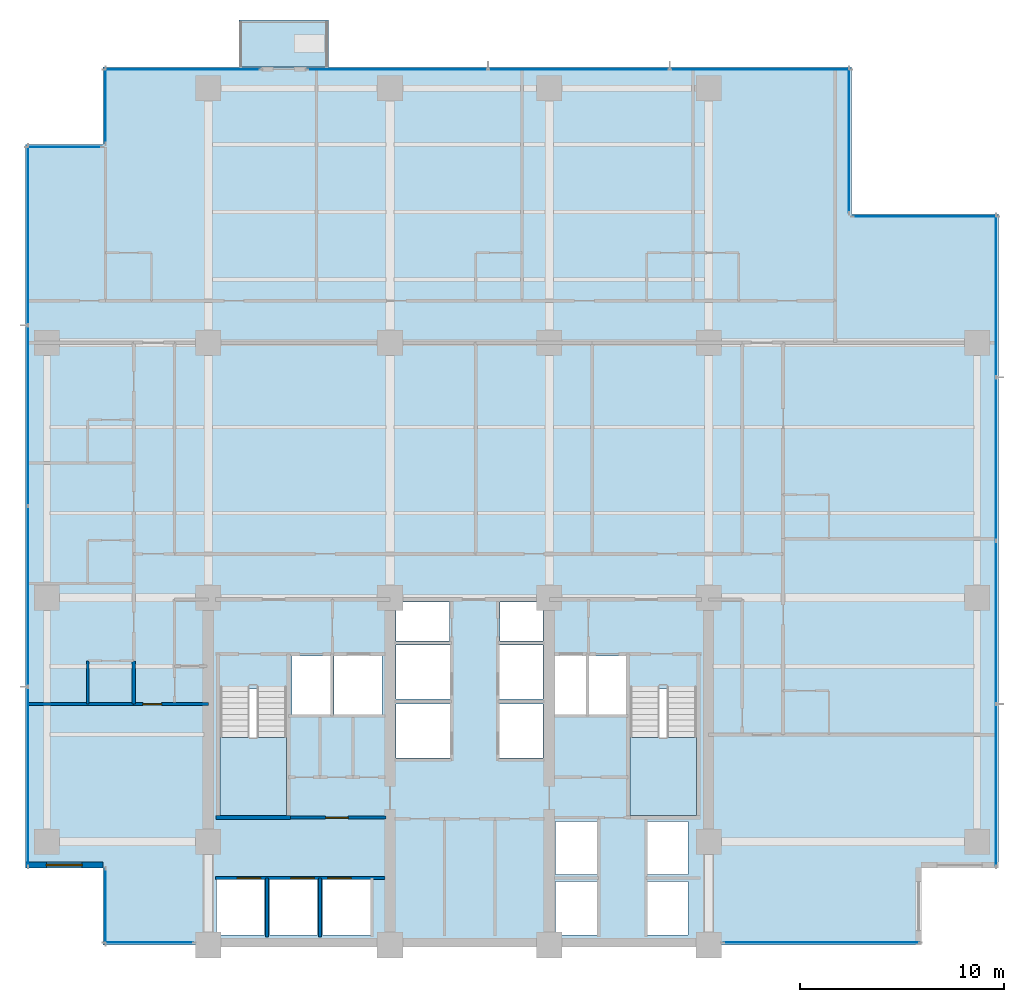
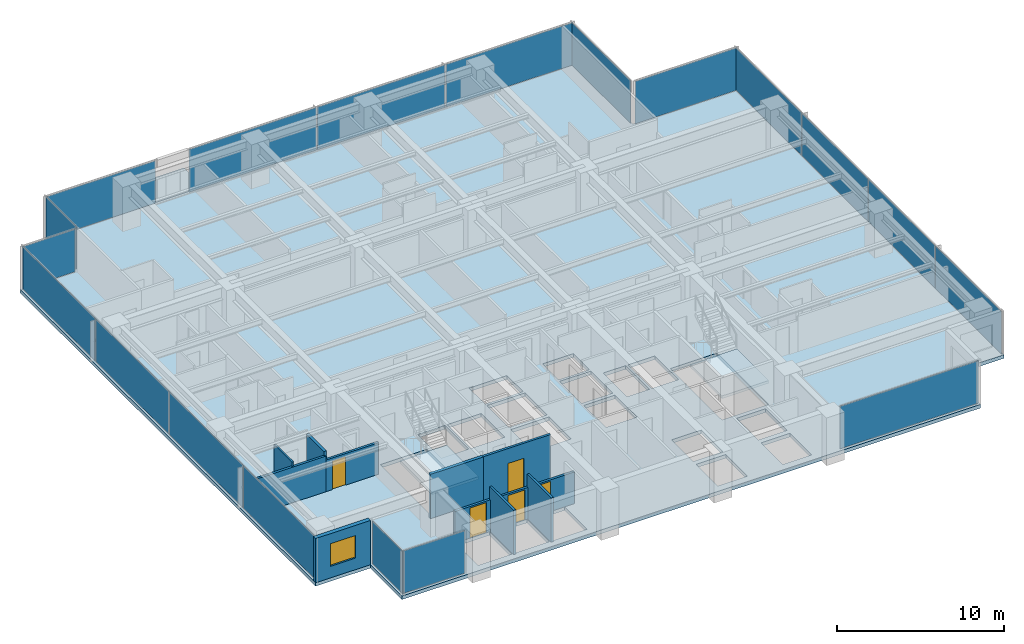
# One storey, part 7 of 18: 19 plates, 10 walls, 5 doors, 4 slabs, 1 window, 6 openings, 13 elements without a shape of their own.
"""IFC4 building model written with IfcOpenShell, lengths in metres."""

from ifc_helpers import new_model, si_unit, direction, frame, frame_2d, origin, origin_2d, place, context, subcontext, project, spatial, polyline, rectangle, outline, extrude, material, layer, layer_set, type_object, element, fill, aggregate, save


model = new_model("IFC4")

# Units and contexts
model_context = context("Model", 3, precision=1e-05, world=origin(), true_north=direction((0.0, 1.0)))
body_context = subcontext(model_context, "Body", "Model", "MODEL_VIEW")
ifc_project = project(units=[si_unit("LENGTHUNIT", "METRE"), si_unit("AREAUNIT", "SQUARE_METRE"), si_unit("VOLUMEUNIT", "CUBIC_METRE"), si_unit("PLANEANGLEUNIT", "RADIAN"), si_unit("MASSUNIT", "GRAM", prefix="KILO")], contexts=[model_context])

# Site, building, storey
site_placement = place(None, origin())
site = spatial("IfcSite", under=ifc_project, at=site_placement, CompositionType="ELEMENT")
building_placement = place(site_placement, origin())
building = spatial("IfcBuilding", under=site, at=building_placement, Name="Qalmaran Belvedere Hotel", CompositionType="ELEMENT")
storey_placement = place(building_placement, frame((0.0, 0.0, 95.199951171875)))
storey = spatial("IfcBuildingStorey", under=building, at=storey_placement, Name="L23", CompositionType="ELEMENT", Elevation=95.199951171875)

# Curtain wall, plate
ifc_material_1 = material(Name="Anodised Bronze Aluminium", Category="aluminium")
ifc_layer_1 = layer(ifc_material_1, 0.199951171875, Name="Anodised Bronze Aluminium")
ifc_layer_set_1 = layer_set([ifc_layer_1], Name="Anodised Bronze Aluminium")
curtain_wall_type = type_object("IfcCurtainWallType", Name="CW3-TOWER-LOWMID", PredefinedType="NOTDEFINED", material=ifc_layer_set_1)
curtain_wall_1_placement = place(storey_placement, origin())
curtain_wall_1 = element("IfcCurtainWall", 1, at=curtain_wall_1_placement, inside=storey, type_object=curtain_wall_type, Name="L23 Curtain Wall CW3", PredefinedType="NOTDEFINED")
ifc_material_2 = material(Name="Solar-Control Double Glazing", Category="glass")
ifc_layer_2 = layer(ifc_material_2, 0.028076171875, Name="Solar-Control Double Glazing")
ifc_layer_set_2 = layer_set([ifc_layer_2], Name="Solar-Control Double Glazing")
plate_type = type_object("IfcPlateType", Name="CWP-VISION-28", PredefinedType="CURTAIN_PANEL", material=ifc_layer_set_2)
plate_1_placement = place(storey_placement, frame((17.392578125, 3.6201171875, 0.06494140625), z_axis=(0.0, 0.0, 1.0), x_axis=(1.0, 0.0, 0.0)))
plate_1 = element("IfcPlate", 2, at=plate_1_placement, type_object=plate_type, Name="CW3 panel 1.1", PredefinedType="CURTAIN_PANEL", context=body_context, shape_type="SweptSolid", body=[
    extrude(rectangle(XDim=4.344970703125, YDim=0.028076171875, at=origin_2d()), origin(), (0.0, 0.0, 1.0), 3.110107421875),
])
aggregate(curtain_wall_1, [plate_1])

curtain_wall_2_placement = place(storey_placement, origin())
curtain_wall_2 = element("IfcCurtainWall", 3, at=curtain_wall_2_placement, inside=storey, type_object=curtain_wall_type, Name="L23 Curtain Wall CW3", PredefinedType="NOTDEFINED")
plate_2_placement = place(storey_placement, frame((50.33251953125, 3.6201171875, 0.06494140625), z_axis=(0.0, 0.0, 1.0), x_axis=(1.0, 0.0, 0.0)))
plate_2 = element("IfcPlate", 4, at=plate_2_placement, type_object=plate_type, Name="CW3 panel 1.1", PredefinedType="CURTAIN_PANEL", context=body_context, shape_type="SweptSolid", body=[
    extrude(rectangle(XDim=9.594970703125, YDim=0.028076171875, at=origin_2d()), origin(), (0.0, 0.0, 1.0), 3.110107421875),
])
aggregate(curtain_wall_2, [plate_2])

# Curtain wall, plates
curtain_wall_3_placement = place(storey_placement, origin())
curtain_wall_3 = element("IfcCurtainWall", 5, at=curtain_wall_3_placement, inside=storey, type_object=curtain_wall_type, Name="L23 Curtain Wall CW3", PredefinedType="NOTDEFINED")
plate_3_placement = place(storey_placement, frame((58.8798828125, 11.3173828125, 0.06494140625), z_axis=(0.0, 0.0, 1.0), x_axis=(0.0, 1.0, 0.0)))
plate_3 = element("IfcPlate", 6, at=plate_3_placement, type_object=plate_type, Name="CW3 panel 1.1", PredefinedType="CURTAIN_PANEL", context=body_context, shape_type="SweptSolid", body=[
    extrude(rectangle(XDim=7.89501953125, YDim=0.028076171875, at=origin_2d()), origin(), (0.0, 0.0, 1.0), 3.110107421875),
])
plate_4_placement = place(storey_placement, frame((58.8798828125, 19.300048828125, 0.06494140625), z_axis=(0.0, 0.0, 1.0), x_axis=(0.0, 1.0, 0.0)))
plate_4 = element("IfcPlate", 7, at=plate_4_placement, type_object=plate_type, Name="CW3 panel 2.1", PredefinedType="CURTAIN_PANEL", context=body_context, shape_type="SweptSolid", body=[
    extrude(rectangle(XDim=7.929931640625, YDim=0.028076171875, at=origin_2d()), origin(), (0.0, 0.0, 1.0), 3.110107421875),
])
plate_5_placement = place(storey_placement, frame((58.8798828125, 27.300048828125, 0.06494140625), z_axis=(0.0, 0.0, 1.0), x_axis=(0.0, 1.0, 0.0)))
plate_5 = element("IfcPlate", 8, at=plate_5_placement, type_object=plate_type, Name="CW3 panel 3.1", PredefinedType="CURTAIN_PANEL", context=body_context, shape_type="SweptSolid", body=[
    extrude(rectangle(XDim=7.929931640625, YDim=0.028076171875, at=origin_2d()), origin(), (0.0, 0.0, 1.0), 3.110107421875),
])
plate_6_placement = place(storey_placement, frame((58.8798828125, 35.282470703125, 0.06494140625), z_axis=(0.0, 0.0, 1.0), x_axis=(0.0, 1.0, 0.0)))
plate_6 = element("IfcPlate", 9, at=plate_6_placement, type_object=plate_type, Name="CW3 panel 4.1", PredefinedType="CURTAIN_PANEL", context=body_context, shape_type="SweptSolid", body=[
    extrude(rectangle(XDim=7.89501953125, YDim=0.028076171875, at=origin_2d()), origin(), (0.0, 0.0, 1.0), 3.110107421875),
])
aggregate(curtain_wall_3, [plate_3, plate_4, plate_5, plate_6])

# Curtain wall, plate
curtain_wall_4_placement = place(storey_placement, origin())
curtain_wall_4 = element("IfcCurtainWall", 10, at=curtain_wall_4_placement, inside=storey, type_object=curtain_wall_type, Name="L23 Curtain Wall CW3", PredefinedType="NOTDEFINED")
plate_7_placement = place(storey_placement, frame((55.39990234375, 39.179931640625, 0.06494140625), z_axis=(0.0, 0.0, 1.0), x_axis=(-1.0, 0.0, 0.0)))
plate_7 = element("IfcPlate", 11, at=plate_7_placement, type_object=plate_type, Name="CW3 panel 1.1", PredefinedType="CURTAIN_PANEL", context=body_context, shape_type="SweptSolid", body=[
    extrude(rectangle(XDim=7.06005859375, YDim=0.028076171875, at=origin_2d()), origin(), (0.0, 0.0, 1.0), 3.110107421875),
])
aggregate(curtain_wall_4, [plate_7])

curtain_wall_5_placement = place(storey_placement, origin())
curtain_wall_5 = element("IfcCurtainWall", 12, at=curtain_wall_5_placement, inside=storey, type_object=curtain_wall_type, Name="L23 Curtain Wall CW3", PredefinedType="NOTDEFINED")
plate_8_placement = place(storey_placement, frame((51.679931640625, 42.89990234375, 0.06494140625), z_axis=(0.0, 0.0, 1.0), x_axis=(0.0, 1.0, 0.0)))
plate_8 = element("IfcPlate", 13, at=plate_8_placement, type_object=plate_type, Name="CW3 panel 1.1", PredefinedType="CURTAIN_PANEL", context=body_context, shape_type="SweptSolid", body=[
    extrude(rectangle(XDim=7.06005859375, YDim=0.028076171875, at=origin_2d()), origin(), (0.0, 0.0, 1.0), 3.110107421875),
])
aggregate(curtain_wall_5, [plate_8])

curtain_wall_6_placement = place(storey_placement, origin())
curtain_wall_6 = element("IfcCurtainWall", 14, at=curtain_wall_6_placement, inside=storey, type_object=curtain_wall_type, Name="L23 Curtain Wall CW3", PredefinedType="NOTDEFINED")
plate_9_placement = place(storey_placement, frame((19.02490234375, 46.3798828125, 0.06494140625), z_axis=(0.0, 0.0, 1.0), x_axis=(-1.0, 0.0, 0.0)))
plate_9 = element("IfcPlate", 15, at=plate_9_placement, type_object=plate_type, Name="CW3 panel 1.1", PredefinedType="CURTAIN_PANEL", context=body_context, shape_type="SweptSolid", body=[
    extrude(rectangle(XDim=7.610107421875, YDim=0.028076171875, at=origin_2d()), origin(), (0.0, 0.0, 1.0), 3.110107421875),
])
aggregate(curtain_wall_6, [plate_9])

# Curtain wall, plates
curtain_wall_7_placement = place(storey_placement, origin())
curtain_wall_7 = element("IfcCurtainWall", 16, at=curtain_wall_7_placement, inside=storey, type_object=curtain_wall_type, Name="L23 Curtain Wall CW3", PredefinedType="NOTDEFINED")
plate_10_placement = place(storey_placement, frame((47.33251953125, 46.3798828125, 0.06494140625), z_axis=(0.0, 0.0, 1.0), x_axis=(-1.0, 0.0, 0.0)))
plate_10 = element("IfcPlate", 17, at=plate_10_placement, type_object=plate_type, Name="CW3 panel 1.1", PredefinedType="CURTAIN_PANEL", context=body_context, shape_type="SweptSolid", body=[
    extrude(rectangle(XDim=8.794921875, YDim=0.028076171875, at=origin_2d()), origin(), (0.0, 0.0, 1.0), 3.110107421875),
])
plate_11_placement = place(storey_placement, frame((38.449951171875, 46.3798828125, 0.06494140625), z_axis=(0.0, 0.0, 1.0), x_axis=(-1.0, 0.0, 0.0)))
plate_11 = element("IfcPlate", 18, at=plate_11_placement, type_object=plate_type, Name="CW3 panel 2.1", PredefinedType="CURTAIN_PANEL", context=body_context, shape_type="SweptSolid", body=[
    extrude(rectangle(XDim=8.830078125, YDim=0.028076171875, at=origin_2d()), origin(), (0.0, 0.0, 1.0), 3.110107421875),
])
plate_12_placement = place(storey_placement, frame((29.5673828125, 46.3798828125, 0.06494140625), z_axis=(0.0, 0.0, 1.0), x_axis=(-1.0, 0.0, 0.0)))
plate_12 = element("IfcPlate", 19, at=plate_12_placement, type_object=plate_type, Name="CW3 panel 3.1", PredefinedType="CURTAIN_PANEL", context=body_context, shape_type="SweptSolid", body=[
    extrude(rectangle(XDim=8.794921875, YDim=0.028076171875, at=origin_2d()), origin(), (0.0, 0.0, 1.0), 3.110107421875),
])
aggregate(curtain_wall_7, [plate_10, plate_11, plate_12])

# Curtain wall, plate
curtain_wall_8_placement = place(storey_placement, origin())
curtain_wall_8 = element("IfcCurtainWall", 20, at=curtain_wall_8_placement, inside=storey, type_object=curtain_wall_type, Name="L23 Curtain Wall CW3", PredefinedType="NOTDEFINED")
plate_13_placement = place(storey_placement, frame((15.27001953125, 44.60009765625, 0.06494140625), z_axis=(0.0, 0.0, 1.0), x_axis=(0.0, -1.0, 0.0)))
plate_13 = element("IfcPlate", 21, at=plate_13_placement, type_object=plate_type, Name="CW3 panel 1.1", PredefinedType="CURTAIN_PANEL", context=body_context, shape_type="SweptSolid", body=[
    extrude(rectangle(XDim=3.659912109375, YDim=0.028076171875, at=origin_2d()), origin(), (0.0, 0.0, 1.0), 3.110107421875),
])
aggregate(curtain_wall_8, [plate_13])

curtain_wall_9_placement = place(storey_placement, origin())
curtain_wall_9 = element("IfcCurtainWall", 22, at=curtain_wall_9_placement, inside=storey, type_object=curtain_wall_type, Name="L23 Curtain Wall CW3", PredefinedType="NOTDEFINED")
plate_14_placement = place(storey_placement, frame((13.25, 42.580078125, 0.06494140625), z_axis=(0.0, 0.0, 1.0), x_axis=(-1.0, 0.0, 0.0)))
plate_14 = element("IfcPlate", 23, at=plate_14_placement, type_object=plate_type, Name="CW3 panel 1.1", PredefinedType="CURTAIN_PANEL", context=body_context, shape_type="SweptSolid", body=[
    extrude(rectangle(XDim=3.659912109375, YDim=0.028076171875, at=origin_2d()), origin(), (0.0, 0.0, 1.0), 3.110107421875),
])
aggregate(curtain_wall_9, [plate_14])

# Curtain wall, plates
curtain_wall_10_placement = place(storey_placement, origin())
curtain_wall_10 = element("IfcCurtainWall", 24, at=curtain_wall_10_placement, inside=storey, type_object=curtain_wall_type, Name="L23 Curtain Wall CW3", PredefinedType="NOTDEFINED")
plate_15_placement = place(storey_placement, frame((11.469970703125, 38.257568359375, 0.06494140625), z_axis=(0.0, 0.0, 1.0), x_axis=(0.0, -1.0, 0.0)))
plate_15 = element("IfcPlate", 25, at=plate_15_placement, type_object=plate_type, Name="CW3 panel 1.1", PredefinedType="CURTAIN_PANEL", context=body_context, shape_type="SweptSolid", body=[
    extrude(rectangle(XDim=8.7451171875, YDim=0.028076171875, at=origin_2d()), origin(), (0.0, 0.0, 1.0), 3.110107421875),
])
plate_16_placement = place(storey_placement, frame((11.469970703125, 29.425048828125, 0.06494140625), z_axis=(0.0, 0.0, 1.0), x_axis=(0.0, -1.0, 0.0)))
plate_16 = element("IfcPlate", 26, at=plate_16_placement, type_object=plate_type, Name="CW3 panel 2.1", PredefinedType="CURTAIN_PANEL", context=body_context, shape_type="SweptSolid", body=[
    extrude(rectangle(XDim=8.780029296875, YDim=0.028076171875, at=origin_2d()), origin(), (0.0, 0.0, 1.0), 3.110107421875),
])
plate_17_placement = place(storey_placement, frame((11.469970703125, 20.574951171875, 0.06494140625), z_axis=(0.0, 0.0, 1.0), x_axis=(0.0, -1.0, 0.0)))
plate_17 = element("IfcPlate", 27, at=plate_17_placement, type_object=plate_type, Name="CW3 panel 3.1", PredefinedType="CURTAIN_PANEL", context=body_context, shape_type="SweptSolid", body=[
    extrude(rectangle(XDim=8.780029296875, YDim=0.028076171875, at=origin_2d()), origin(), (0.0, 0.0, 1.0), 3.110107421875),
])
plate_18_placement = place(storey_placement, frame((11.469970703125, 11.742431640625, 0.06494140625), z_axis=(0.0, 0.0, 1.0), x_axis=(0.0, -1.0, 0.0)))
plate_18 = element("IfcPlate", 28, at=plate_18_placement, type_object=plate_type, Name="CW3 panel 4.1", PredefinedType="CURTAIN_PANEL", context=body_context, shape_type="SweptSolid", body=[
    extrude(rectangle(XDim=8.7451171875, YDim=0.028076171875, at=origin_2d()), origin(), (0.0, 0.0, 1.0), 3.110107421875),
])
aggregate(curtain_wall_10, [plate_15, plate_16, plate_17, plate_18])

# Curtain wall, plate
curtain_wall_11_placement = place(storey_placement, origin())
curtain_wall_11 = element("IfcCurtainWall", 29, at=curtain_wall_11_placement, inside=storey, type_object=curtain_wall_type, Name="L23 Curtain Wall CW3", PredefinedType="NOTDEFINED")
plate_19_placement = place(storey_placement, frame((15.27001953125, 5.39990234375, 0.06494140625), z_axis=(0.0, 0.0, 1.0), x_axis=(0.0, -1.0, 0.0)))
plate_19 = element("IfcPlate", 30, at=plate_19_placement, type_object=plate_type, Name="CW3 panel 1.1", PredefinedType="CURTAIN_PANEL", context=body_context, shape_type="SweptSolid", body=[
    extrude(rectangle(XDim=3.659912109375, YDim=0.028076171875, at=origin_2d()), origin(), (0.0, 0.0, 1.0), 3.110107421875),
])
aggregate(curtain_wall_11, [plate_19])

# Slab
ifc_material_3 = material(Name="Concrete C40/50", Category="concrete")
ifc_layer_3 = layer(ifc_material_3, 0.219970703125, Name="Concrete C40/50")
ifc_layer_set_3 = layer_set([ifc_layer_3], Name="Concrete C40/50")
slab_type_1 = type_object("IfcSlabType", Name="SLB-BAL-220", PredefinedType="USERDEFINED", material=ifc_layer_set_3)
slab_1_placement = place(storey_placement, frame((0.0, 0.0, -0.219970703125)))
element("IfcSlab", 31, at=slab_1_placement, inside=storey, type_object=slab_type_1, Name="L23 Planted Tree Balcony Slab 1", ObjectType="BALCONY", PredefinedType="USERDEFINED", context=body_context, shape_type="SweptSolid", body=[
    extrude(outline(polyline([(21.800048828125, 46.5), (26.199951171875, 46.5), (26.199951171875, 48.800048828125), (21.800048828125, 48.800048828125), (21.800048828125, 46.5)])), origin(), (0.0, 0.0, 1.0), 0.219970703125),
])

# Stair, slab
stair_type_1 = type_object("IfcStairType", Name="STR-ST-1-1450-R1750", PredefinedType="HALF_TURN_STAIR", material=ifc_material_3)
stair_1_placement = place(storey_placement, origin())
stair_1 = element("IfcStair", 32, at=stair_1_placement, inside=storey, type_object=stair_type_1, Name="L23 West Core Exit Stair ST-1", PredefinedType="HALF_TURN_STAIR")
ifc_layer_4 = layer(ifc_material_3, 0.199951171875, Name="Concrete C40/50")
ifc_layer_set_4 = layer_set([ifc_layer_4], Name="Concrete C40/50")
slab_type_2 = type_object("IfcSlabType", Name="SLB-STAIR-LANDING-200", PredefinedType="LANDING", material=ifc_layer_set_4)
slab_2_placement = place(storey_placement, frame((0.0, 0.0, 1.550048828125)))
slab_2 = element("IfcSlab", 33, at=slab_2_placement, type_object=slab_type_2, Name="ST-1 landing 1", PredefinedType="LANDING", context=body_context, shape_type="SweptSolid", body=[
    extrude(outline(polyline([(20.8798828125, 13.669921875), (20.8798828125, 9.85009765625), (24.1201171875, 9.85009765625), (24.1201171875, 13.669921875), (20.8798828125, 13.669921875)])), origin(), (0.0, 0.0, 1.0), 0.199951171875),
])
aggregate(stair_1, [slab_2])

stair_type_2 = type_object("IfcStairType", Name="STR-ST-2-1450-R1750", PredefinedType="HALF_TURN_STAIR", material=ifc_material_3)
stair_2_placement = place(storey_placement, origin())
stair_2 = element("IfcStair", 34, at=stair_2_placement, inside=storey, type_object=stair_type_2, Name="L23 East Core Exit Stair ST-2", PredefinedType="HALF_TURN_STAIR")
slab_3_placement = place(storey_placement, frame((0.0, 0.0, 1.550048828125)))
slab_3 = element("IfcSlab", 35, at=slab_3_placement, type_object=slab_type_2, Name="ST-2 landing 1", PredefinedType="LANDING", context=body_context, shape_type="SweptSolid", body=[
    extrude(outline(polyline([(40.9599609375, 13.669921875), (40.9599609375, 9.85009765625), (44.199951171875, 9.85009765625), (44.199951171875, 13.669921875), (40.9599609375, 13.669921875)])), origin(), (0.0, 0.0, 1.0), 0.199951171875),
])
aggregate(stair_2, [slab_3])

# Slab
ifc_layer_5 = layer(ifc_material_3, 0.260009765625, Name="Concrete C40/50")
ifc_layer_set_5 = layer_set([ifc_layer_5], Name="Concrete C40/50")
slab_type_3 = type_object("IfcSlabType", Name="SLB-Z2-260", PredefinedType="FLOOR", material=ifc_layer_set_5)
slab_4_placement = place(storey_placement, frame((0.0, 0.0, -0.260009765625)))
element("IfcSlab", 36, at=slab_4_placement, inside=storey, type_object=slab_type_3, Name="L23 Structural Floor Slab", PredefinedType="FLOOR", context=body_context, shape_type="SweptSolid", body=[
    extrude(outline(polyline([(15.14990234375, 3.5), (55.199951171875, 3.5), (55.199951171875, 7.300048828125), (59.0, 7.300048828125), (59.0, 39.300048828125), (51.800048828125, 39.300048828125), (51.800048828125, 46.5), (15.14990234375, 46.5), (15.14990234375, 42.699951171875), (11.35009765625, 42.699951171875), (11.35009765625, 7.300048828125), (15.14990234375, 7.300048828125), (15.14990234375, 3.5)]), holes=[polyline([(20.8798828125, 9.85009765625), (24.1201171875, 9.85009765625), (24.1201171875, 16.0400390625), (20.8798828125, 16.0400390625), (20.8798828125, 9.85009765625)]), polyline([(40.9599609375, 9.85009765625), (44.199951171875, 9.85009765625), (44.199951171875, 16.0400390625), (40.9599609375, 16.0400390625), (40.9599609375, 9.85009765625)]), polyline([(29.4951171875, 12.64990234375), (32.14990234375, 12.64990234375), (32.14990234375, 15.300048828125), (29.4951171875, 15.300048828125), (29.4951171875, 12.64990234375)]), polyline([(29.4951171875, 15.550048828125), (32.14990234375, 15.550048828125), (32.14990234375, 18.199951171875), (29.4951171875, 18.199951171875), (29.4951171875, 15.550048828125)]), polyline([(34.550048828125, 12.64990234375), (36.705078125, 12.64990234375), (36.705078125, 15.300048828125), (34.550048828125, 15.300048828125), (34.550048828125, 12.64990234375)]), polyline([(34.550048828125, 15.550048828125), (36.705078125, 15.550048828125), (36.705078125, 18.199951171875), (34.550048828125, 18.199951171875), (34.550048828125, 15.550048828125)]), polyline([(37.300048828125, 4.0), (39.35009765625, 4.0), (39.35009765625, 6.60009765625), (37.300048828125, 6.60009765625), (37.300048828125, 4.0)]), polyline([(37.300048828125, 6.949951171875), (39.35009765625, 6.949951171875), (39.35009765625, 9.550048828125), (37.300048828125, 9.550048828125), (37.300048828125, 6.949951171875)]), polyline([(41.800048828125, 4.0), (43.800048828125, 4.0), (43.800048828125, 6.60009765625), (41.800048828125, 6.60009765625), (41.800048828125, 4.0)]), polyline([(41.800048828125, 6.949951171875), (43.800048828125, 6.949951171875), (43.800048828125, 9.550048828125), (41.800048828125, 9.550048828125), (41.800048828125, 6.949951171875)]), polyline([(20.699951171875, 4.0), (23.050048828125, 4.0), (23.050048828125, 6.699951171875), (20.699951171875, 6.699951171875), (20.699951171875, 4.0)]), polyline([(23.300048828125, 4.0), (25.64990234375, 4.0), (25.64990234375, 6.699951171875), (23.300048828125, 6.699951171875), (23.300048828125, 4.0)]), polyline([(25.89990234375, 4.0), (28.25, 4.0), (28.25, 6.699951171875), (25.89990234375, 6.699951171875), (25.89990234375, 4.0)]), polyline([(24.39990234375, 14.800048828125), (26.300048828125, 14.800048828125), (26.300048828125, 17.64990234375), (24.39990234375, 17.64990234375), (24.39990234375, 14.800048828125)]), polyline([(38.949951171875, 14.800048828125), (40.820068359375, 14.800048828125), (40.820068359375, 17.64990234375), (38.949951171875, 17.64990234375), (38.949951171875, 14.800048828125)]), polyline([(26.449951171875, 14.800048828125), (28.800048828125, 14.800048828125), (28.800048828125, 17.64990234375), (26.449951171875, 17.64990234375), (26.449951171875, 14.800048828125)]), polyline([(37.25, 14.800048828125), (38.800048828125, 14.800048828125), (38.800048828125, 17.64990234375), (37.25, 17.64990234375), (37.25, 14.800048828125)]), polyline([(29.4951171875, 18.3798828125), (32.1201171875, 18.3798828125), (32.1201171875, 20.300048828125), (29.4951171875, 20.300048828125), (29.4951171875, 18.3798828125)]), polyline([(34.580078125, 18.3798828125), (36.705078125, 18.3798828125), (36.705078125, 20.300048828125), (34.580078125, 20.300048828125), (34.580078125, 18.3798828125)])]), origin(), (0.0, 0.0, 1.0), 0.260009765625),
])

# Wall, opening, window
ifc_material_4 = material(Name="Anodised Bronze Cladding")
ifc_layer_6 = layer(ifc_material_4, 0.280029296875, Name="Anodised Bronze Cladding")
ifc_layer_set_6 = layer_set([ifc_layer_6], Name="Anodised Bronze Cladding")
wall_type_1 = type_object("IfcWallType", Name="WL-EXT-BRNZ-280", PredefinedType="SOLIDWALL", material=ifc_layer_set_6)
wall_1_placement = place(storey_placement, frame((11.35009765625, 7.419921875, 0.0), z_axis=(0.0, 0.0, 1.0), x_axis=(1.0, 0.0, 0.0)))
wall_1 = element("IfcWall", 37, at=wall_1_placement, inside=storey, type_object=wall_type_1, Name="L23 Corner Notch Wall 10", PredefinedType="SOLIDWALL", context=body_context, shape_type="SweptSolid", body=[
    extrude(rectangle(XDim=3.7998046875, YDim=0.280029296875, at=frame_2d((1.89990234375, 0.0))), origin(), (0.0, 0.0, 1.0), 3.239990234375),
])
opening_1_placement = place(wall_1_placement, frame((1.02490234375, 0.0, 0.85009765625)))
opening_1 = element("IfcOpeningElement", 38, at=opening_1_placement, cuts=wall_1, Name="Opening W-N17", PredefinedType="OPENING", context=body_context, shape_type="SweptSolid", body=[
    extrude(rectangle(XDim=1.75, YDim=1.64990234375, at=frame_2d((0.875, 0.824951171875))), frame((0.0, 0.14990234375, 0.0), z_axis=(0.0, -1.0, 0.0), x_axis=(1.0, 0.0, 0.0)), (0.0, 0.0, 1.0), 0.300048828125),
])
window_type = type_object("IfcWindowType", Name="WN-NTC-1750X1650", PartitioningType="SINGLE_PANEL", PredefinedType="WINDOW", material=ifc_material_2)
window_placement = place(opening_1_placement, origin())
window = element("IfcWindow", 39, at=window_placement, inside=storey, type_object=window_type, Name="L23 Corner Notch Window 10", OverallHeight=1.64990234375, OverallWidth=1.75, PartitioningType="SINGLE_PANEL", PredefinedType="WINDOW", context=body_context, shape_type="SweptSolid", body=[
    extrude(rectangle(XDim=1.75, YDim=1.64990234375, at=frame_2d((0.875, 0.824951171875))), frame((0.0, 0.030029296875, 0.0), z_axis=(0.0, -1.0, 0.0), x_axis=(1.0, 0.0, 0.0)), (0.0, 0.0, 1.0), 0.06005859375),
])
fill(opening_1, window)

# Walls
ifc_material_5 = material(Name="Moisture-Resistant Gypsum")
ifc_layer_7 = layer(ifc_material_5, 0.1201171875, Name="Moisture-Resistant Gypsum")
ifc_layer_set_7 = layer_set([ifc_layer_7], Name="Moisture-Resistant Gypsum")
wall_type_2 = type_object("IfcWallType", Name="WL-INT-120-BATH", PredefinedType="PARTITIONING", material=ifc_layer_set_7)
wall_2_placement = place(storey_placement, frame((14.39990234375, 15.300048828125, 0.0), z_axis=(0.0, 0.0, 1.0), x_axis=(0.0, 1.0, 0.0)))
element("IfcWall", 40, at=wall_2_placement, inside=storey, type_object=wall_type_2, Name="L23 Partition WL-L23-WBS00", PredefinedType="PARTITIONING", context=body_context, shape_type="SweptSolid", body=[
    extrude(rectangle(XDim=2.119873046875, YDim=0.1201171875, at=frame_2d((1.06005859375, 0.0))), origin(), (0.0, 0.0, 1.0), 2.922119140625),
])
ifc_material_6 = material(Name="Gypsum Stud Partition")
ifc_layer_8 = layer(ifc_material_6, 0.14990234375, Name="Gypsum Stud Partition")
ifc_layer_set_8 = layer_set([ifc_layer_8], Name="Gypsum Stud Partition")
wall_type_3 = type_object("IfcWallType", Name="WL-INT-150-EI120", PredefinedType="PARTITIONING", material=ifc_layer_set_8)
for number, where, z_axis, x_axis, name in (
    (41, (23.179931640625, 3.89990234375, 0.0), (0.0, 0.0, 1.0), (0.0, 1.0, 0.0), "L23 Partition WL-POM1-L23"),
    (42, (25.780029296875, 3.89990234375, 0.0), (0.0, 0.0, 1.0), (0.0, 1.0, 0.0), "L23 Partition WL-POM2-L23"),
):
    element("IfcWall", number, at=place(storey_placement, frame(where, z_axis=z_axis, x_axis=x_axis)), inside=storey, type_object=wall_type_3, Name=name, PredefinedType="PARTITIONING", context=body_context, shape_type="SweptSolid", body=[
        extrude(rectangle(XDim=2.880126953125, YDim=0.14990234375, at=frame_2d((1.43994140625, 0.0))), origin(), (0.0, 0.0, 1.0), 3.239990234375),
    ])

# Wall, openings, doors
ifc_layer_9 = layer(ifc_material_6, 0.159912109375, Name="Gypsum Stud Partition")
ifc_layer_set_9 = layer_set([ifc_layer_9], Name="Gypsum Stud Partition")
wall_type_4 = type_object("IfcWallType", Name="WL-INT-160-EI120", PredefinedType="PARTITIONING", material=ifc_layer_set_9)
wall_3_placement = place(storey_placement, frame((20.64990234375, 6.780029296875, 0.0), z_axis=(0.0, 0.0, 1.0), x_axis=(1.0, 0.0, 0.0)))
wall_3 = element("IfcWall", 43, at=wall_3_placement, inside=storey, type_object=wall_type_4, Name="L23 Partition WL-POS-L23", PredefinedType="PARTITIONING", context=body_context, shape_type="SweptSolid", body=[
    extrude(rectangle(XDim=8.300048828125, YDim=0.159912109375, at=frame_2d((4.14990234375, 0.0))), origin(), (0.0, 0.0, 1.0), 2.31298828125),
])
opening_2_placement = place(wall_3_placement, frame((3.69482421875, 0.0, 0.0)))
opening_2 = element("IfcOpeningElement", 44, at=opening_2_placement, cuts=wall_3, Name="Opening LD-PO", PredefinedType="OPENING", context=body_context, shape_type="SweptSolid", body=[
    extrude(rectangle(XDim=1.14990234375, YDim=2.199951171875, at=frame_2d((0.574951171875, 1.10009765625))), frame((0.0, 0.08984375, 0.0), z_axis=(0.0, -1.0, 0.0), x_axis=(1.0, 0.0, 0.0)), (0.0, 0.0, 1.0), 0.179931640625),
])
opening_3_placement = place(wall_3_placement, frame((5.4921875, 0.0, 0.0)))
opening_3 = element("IfcOpeningElement", 45, at=opening_3_placement, cuts=wall_3, Name="Opening LD-PO", PredefinedType="OPENING", context=body_context, shape_type="SweptSolid", body=[
    extrude(rectangle(XDim=1.14990234375, YDim=2.199951171875, at=frame_2d((0.574951171875, 1.10009765625))), frame((0.0, 0.08984375, 0.0), z_axis=(0.0, -1.0, 0.0), x_axis=(1.0, 0.0, 0.0)), (0.0, 0.0, 1.0), 0.179931640625),
])
opening_4_placement = place(wall_3_placement, frame((1.058837890625, 0.0, 0.0)))
opening_4 = element("IfcOpeningElement", 46, at=opening_4_placement, cuts=wall_3, Name="Opening LD-PO", PredefinedType="OPENING", context=body_context, shape_type="SweptSolid", body=[
    extrude(rectangle(XDim=1.14990234375, YDim=2.199951171875, at=frame_2d((0.574951171875, 1.10009765625))), frame((0.0, 0.08984375, 0.0), z_axis=(0.0, -1.0, 0.0), x_axis=(1.0, 0.0, 0.0)), (0.0, 0.0, 1.0), 0.179931640625),
])
door_type_1 = type_object("IfcDoorType", Name="DR-LIFT-PO-1150X2200", OperationType="DOUBLE_DOOR_SLIDING", PredefinedType="DOOR", material=ifc_material_1)
door_1_placement = place(opening_2_placement, origin())
door_1 = element("IfcDoor", 47, at=door_1_placement, inside=storey, type_object=door_type_1, Name="L23 PO1 Shuttle Landing Door", OperationType="DOUBLE_DOOR_SLIDING", OverallHeight=2.199951171875, OverallWidth=1.14990234375, PredefinedType="DOOR", context=body_context, shape_type="SweptSolid", body=[
    extrude(rectangle(XDim=1.14990234375, YDim=2.199951171875, at=frame_2d((0.574951171875, 1.10009765625))), frame((0.0, 0.02490234375, 0.0), z_axis=(0.0, -1.0, 0.0), x_axis=(1.0, 0.0, 0.0)), (0.0, 0.0, 1.0), 0.050048828125),
])
fill(opening_2, door_1)
door_2_placement = place(opening_3_placement, origin())
door_2 = element("IfcDoor", 48, at=door_2_placement, inside=storey, type_object=door_type_1, Name="L23 PO2 Shuttle Landing Door", OperationType="DOUBLE_DOOR_SLIDING", OverallHeight=2.199951171875, OverallWidth=1.14990234375, PredefinedType="DOOR", context=body_context, shape_type="SweptSolid", body=[
    extrude(rectangle(XDim=1.14990234375, YDim=2.199951171875, at=frame_2d((0.574951171875, 1.10009765625))), frame((0.0, 0.02490234375, 0.0), z_axis=(0.0, -1.0, 0.0), x_axis=(1.0, 0.0, 0.0)), (0.0, 0.0, 1.0), 0.050048828125),
])
fill(opening_3, door_2)
door_3_placement = place(opening_4_placement, origin())
door_3 = element("IfcDoor", 49, at=door_3_placement, inside=storey, type_object=door_type_1, Name="L23 PO3 Shuttle Landing Door", OperationType="DOUBLE_DOOR_SLIDING", OverallHeight=2.199951171875, OverallWidth=1.14990234375, PredefinedType="DOOR", context=body_context, shape_type="SweptSolid", body=[
    extrude(rectangle(XDim=1.14990234375, YDim=2.199951171875, at=frame_2d((0.574951171875, 1.10009765625))), frame((0.0, 0.02490234375, 0.0), z_axis=(0.0, -1.0, 0.0), x_axis=(1.0, 0.0, 0.0)), (0.0, 0.0, 1.0), 0.050048828125),
])
fill(opening_4, door_3)

# Wall, opening, door
wall_4_placement = place(storey_placement, frame((24.199951171875, 9.739990234375, 0.0), z_axis=(0.0, 0.0, 1.0), x_axis=(1.0, 0.0, 0.0)))
wall_4 = element("IfcWall", 50, at=wall_4_placement, inside=storey, type_object=wall_type_4, Name="L23 Partition WL-PON-L23", PredefinedType="PARTITIONING", context=body_context, shape_type="SweptSolid", body=[
    extrude(rectangle(XDim=4.800048828125, YDim=0.159912109375, at=frame_2d((2.39990234375, 0.0))), origin(), (0.0, 0.0, 1.0), 3.239990234375),
])
opening_5_placement = place(wall_4_placement, frame((1.85009765625, 0.0, 0.0)))
opening_5 = element("IfcOpeningElement", 51, at=opening_5_placement, cuts=wall_4, Name="Opening FD90", PredefinedType="OPENING", context=body_context, shape_type="SweptSolid", body=[
    extrude(rectangle(XDim=1.10009765625, YDim=2.14990234375, at=frame_2d((0.550048828125, 1.074951171875))), frame((0.0, 0.08984375, 0.0), z_axis=(0.0, -1.0, 0.0), x_axis=(1.0, 0.0, 0.0)), (0.0, 0.0, 1.0), 0.179931640625),
])
ifc_material_7 = material(Name="Steel S355JR", Category="steel")
door_type_2 = type_object("IfcDoorType", Name="DR-FD90-1100X2150", OperationType="NOTDEFINED", PredefinedType="DOOR", material=ifc_material_7)
door_4_placement = place(opening_5_placement, origin())
door_4 = element("IfcDoor", 52, at=door_4_placement, inside=storey, type_object=door_type_2, Name="L23 Shuttle Lobby Passage Door", OperationType="SINGLE_SWING_LEFT", OverallHeight=2.14990234375, OverallWidth=1.10009765625, PredefinedType="DOOR", context=body_context, shape_type="SweptSolid", body=[
    extrude(rectangle(XDim=1.10009765625, YDim=2.14990234375, at=frame_2d((0.550048828125, 1.074951171875))), frame((0.0, 0.02490234375, 0.0), z_axis=(0.0, -1.0, 0.0), x_axis=(1.0, 0.0, 0.0)), (0.0, 0.0, 1.0), 0.050048828125),
])
fill(opening_5, door_4)

ifc_layer_10 = layer(ifc_material_6, 0.159912109375, Name="Gypsum Stud Partition")
ifc_layer_set_10 = layer_set([ifc_layer_10], Name="Gypsum Stud Partition")
wall_type_5 = type_object("IfcWallType", Name="WL-INT-160-EI60", PredefinedType="PARTITIONING", material=ifc_layer_set_10)
wall_5_placement = place(storey_placement, frame((16.64990234375, 15.300048828125, 0.0), z_axis=(0.0, 0.0, 1.0), x_axis=(1.0, 0.0, 0.0)))
wall_5 = element("IfcWall", 53, at=wall_5_placement, inside=storey, type_object=wall_type_5, Name="L23 Partition WL-L23-SWRL", PredefinedType="PARTITIONING", context=body_context, shape_type="SweptSolid", body=[
    extrude(rectangle(XDim=3.650146484375, YDim=0.159912109375, at=frame_2d((1.8251953125, 0.0))), origin(), (0.0, 0.0, 1.0), 2.31298828125),
])
opening_6_placement = place(wall_5_placement, frame((1.369873046875, 0.0, 0.0), z_axis=(0.0, 0.0, 1.0), x_axis=(-1.0, 0.0, 0.0)))
opening_6 = element("IfcOpeningElement", 54, at=opening_6_placement, cuts=wall_5, Name="Opening FD60S1", PredefinedType="OPENING", context=body_context, shape_type="SweptSolid", body=[
    extrude(rectangle(XDim=0.919921875, YDim=2.080078125, at=frame_2d((0.4599609375, 1.0400390625))), frame((0.0, 0.08984375, 0.0), z_axis=(0.0, -1.0, 0.0), x_axis=(1.0, 0.0, 0.0)), (0.0, 0.0, 1.0), 0.179931640625),
])
ifc_material_8 = material(Name="Engineered Oak Veneer")
door_type_3 = type_object("IfcDoorType", Name="DR-FD60S-920X2080", OperationType="NOTDEFINED", PredefinedType="DOOR", material=ifc_material_8)
door_5_placement = place(opening_6_placement, origin())
door_5 = element("IfcDoor", 55, at=door_5_placement, inside=storey, type_object=door_type_3, Name="L23 SW Lounge Door", OperationType="SINGLE_SWING_RIGHT", OverallHeight=2.080078125, OverallWidth=0.919921875, PredefinedType="DOOR", context=body_context, shape_type="SweptSolid", body=[
    extrude(rectangle(XDim=0.919921875, YDim=2.080078125, at=frame_2d((0.4599609375, 1.0400390625))), frame((0.0, 0.02490234375, 0.0), z_axis=(0.0, -1.0, 0.0), x_axis=(1.0, 0.0, 0.0)), (0.0, 0.0, 1.0), 0.050048828125),
])
fill(opening_6, door_5)

# Walls
wall_6_placement = place(storey_placement, frame((11.469970703125, 15.300048828125, 0.0), z_axis=(0.0, 0.0, 1.0), x_axis=(1.0, 0.0, 0.0)))
element("IfcWall", 56, at=wall_6_placement, inside=storey, type_object=wall_type_5, Name="L23 Partition WL-L23-WBOT", PredefinedType="PARTITIONING", context=body_context, shape_type="SweptSolid", body=[
    extrude(rectangle(XDim=5.179931640625, YDim=0.159912109375, at=frame_2d((2.58984375, 0.0))), origin(), (0.0, 0.0, 1.0), 2.60302734375),
])
ifc_layer_11 = layer(ifc_material_6, 0.179931640625, Name="Gypsum Stud Partition")
ifc_layer_set_11 = layer_set([ifc_layer_11], Name="Gypsum Stud Partition")
wall_type_6 = type_object("IfcWallType", Name="WL-INT-180-EI60", PredefinedType="PARTITIONING", material=ifc_layer_set_11)
wall_7_placement = place(storey_placement, frame((16.64990234375, 15.300048828125, 0.0), z_axis=(0.0, 0.0, 1.0), x_axis=(0.0, 1.0, 0.0)))
element("IfcWall", 57, at=wall_7_placement, inside=storey, type_object=wall_type_6, Name="L23 Partition WL-L23-WBC00", PredefinedType="PARTITIONING", context=body_context, shape_type="SweptSolid", body=[
    extrude(rectangle(XDim=2.119873046875, YDim=0.179931640625, at=frame_2d((1.06005859375, 0.0))), origin(), (0.0, 0.0, 1.0), 2.922119140625),
])
ifc_material_9 = material(Name="Concrete C50/60", Category="concrete")
ifc_layer_12 = layer(ifc_material_9, 0.2099609375, Name="Concrete C50/60")
ifc_layer_set_12 = layer_set([ifc_layer_12], Name="Concrete C50/60")
wall_type_7 = type_object("IfcWallType", Name="WL-STAIR-210-C50", PredefinedType="SHEAR", material=ifc_layer_set_12)
wall_8_placement = place(storey_placement, frame((20.669921875, 9.7451171875, 0.0), z_axis=(0.0, 0.0, 1.0), x_axis=(1.0, 0.0, 0.0)))
element("IfcWall", 58, at=wall_8_placement, inside=storey, type_object=wall_type_7, Name="L23 Stair ST-1 South Bearing Wall", PredefinedType="SHEAR", context=body_context, shape_type="SweptSolid", body=[
    extrude(rectangle(XDim=3.66015625, YDim=0.2099609375, at=frame_2d((1.830078125, 0.0))), origin(), (0.0, 0.0, 1.0), 3.239990234375),
])

save(model, "model.ifc")
